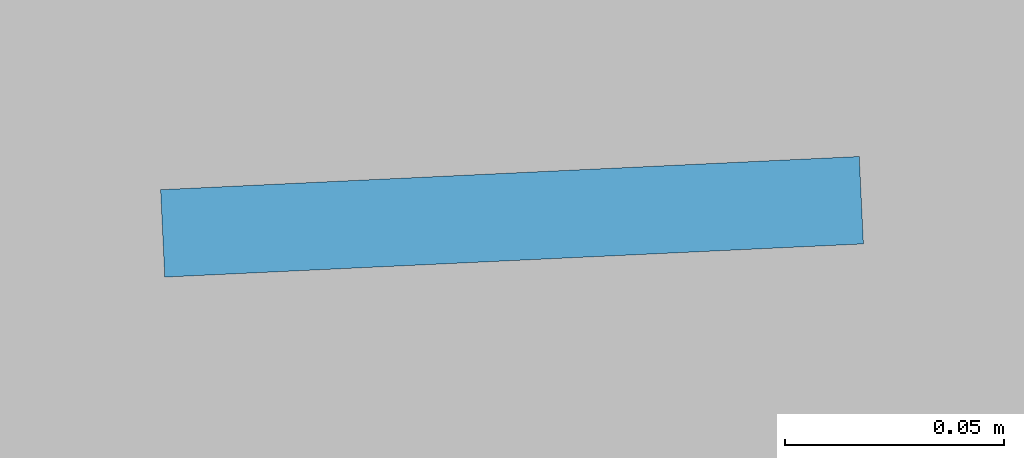
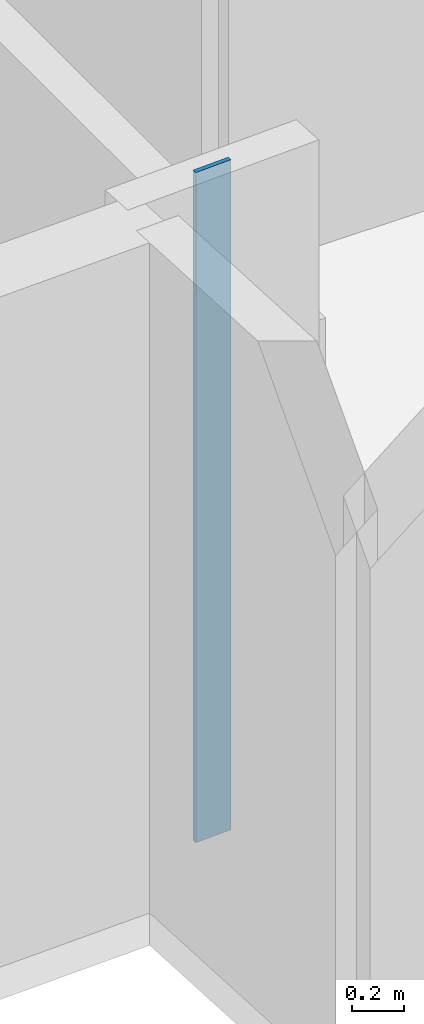
# One storey, part 3 of 15: 1 plate.
"""IFC4 building model written with IfcOpenShell, lengths in metres."""

import ifcopenshell
import ifcopenshell.guid

model = None  # the IFC model being written
_history = None  # IfcOwnerHistory: only IFC2X3 demands one
_inside = {}  # id of a spatial element -> (the spatial element, [elements in it])
_under = {}  # id of a project, library or spatial element -> (it, [spatial elements below it])
_declared = {}  # id of a project -> (the project, [libraries it declares])
_typed = {}  # id of a type object -> (the type object, [elements of that type])
_made_of = {}  # id of a material, layer set ... -> (it, [elements and type objects made of it])


def new_model(schema):
    """Start an empty IFC model of exactly this schema.

    Asked for "IFC4X3", IfcOpenShell would pick the latest addendum, in which some entities
    have other attributes; the version numbers below select the first issue.
    IFC2X3 requires an IfcOwnerHistory on every rooted entity: one is made here for all.
    """
    global model, _history
    if schema == "IFC4X3":
        model = ifcopenshell.file(schema_version=(4, 3, 0, 0))
    else:
        model = ifcopenshell.file(schema=schema)
    _inside.clear()
    _under.clear()
    _declared.clear()
    _typed.clear()
    _made_of.clear()
    _history = None
    if model.schema == "IFC2X3":
        org = make("IfcOrganization", Name="unknown")
        user = make(
            "IfcPersonAndOrganization",
            ThePerson=make("IfcPerson", FamilyName="unknown"),
            TheOrganization=org,
        )
        app = make(
            "IfcApplication",
            ApplicationDeveloper=org,
            Version="unknown",
            ApplicationFullName="unknown",
            ApplicationIdentifier="unknown",
        )
        _history = make(
            "IfcOwnerHistory",
            OwningUser=user,
            OwningApplication=app,
            ChangeAction="ADDED",
            CreationDate=0,
        )
    return model


def make(cls, **values):
    """One entity of the class cls with the attributes given. An attribute that is None is left unset."""
    return model.create_entity(
        cls, **{name: value for name, value in values.items() if value is not None}
    )


def rooted(cls, **values):
    """An entity with a GlobalId (a new one), such as an element, a storey or a relation."""
    return make(cls, GlobalId=ifcopenshell.guid.new(), OwnerHistory=_history, **values)


def si_unit(unit_type, name, prefix=None):
    """IfcSIUnit, for example si_unit("LENGTHUNIT", "METRE", prefix="MILLI")."""
    return make("IfcSIUnit", UnitType=unit_type, Prefix=prefix, Name=name)


def assignment(units):
    """IfcUnitAssignment: the units of a project."""
    return None if units is None else make("IfcUnitAssignment", Units=units)


def point(xyz):
    """IfcCartesianPoint."""
    return None if xyz is None else make("IfcCartesianPoint", Coordinates=xyz)


def direction(xyz):
    """IfcDirection."""
    return None if xyz is None else make("IfcDirection", DirectionRatios=xyz)


def frame(location, z_axis=None, x_axis=None):
    """IfcAxis2Placement3D, a coordinate frame: its origin and axes. An axis left out is left unset."""
    return make(
        "IfcAxis2Placement3D",
        Location=point(location),
        Axis=direction(z_axis),
        RefDirection=direction(x_axis),
    )


def frame_2d(location, x_axis=None):
    """IfcAxis2Placement2D, a coordinate frame in the plane: its origin and x axis."""
    return make(
        "IfcAxis2Placement2D", Location=point(location), RefDirection=direction(x_axis)
    )


def origin():
    """The frame at (0, 0, 0) with its axes left unset."""
    return frame((0.0, 0.0, 0.0))


def origin_2d():
    """The frame at (0, 0) in the plane with its x axis left unset."""
    return frame_2d((0.0, 0.0))


def place(relative_to, where):
    """IfcLocalPlacement: puts the frame where relative to a parent placement (None: the world)."""
    return make(
        "IfcLocalPlacement", PlacementRelTo=relative_to, RelativePlacement=where
    )


def context(
    kind, dimensions, precision=None, world=None, true_north=None, identifier=None
):
    """IfcGeometricRepresentationContext, for example the 3D "Model" context."""
    return make(
        "IfcGeometricRepresentationContext",
        ContextIdentifier=identifier,
        ContextType=kind,
        CoordinateSpaceDimension=dimensions,
        Precision=precision,
        WorldCoordinateSystem=world,
        TrueNorth=true_north,
    )


def subcontext(parent, identifier, kind, view, scale=None):
    """IfcGeometricRepresentationSubContext, for example "Body" below "Model"."""
    return make(
        "IfcGeometricRepresentationSubContext",
        ContextIdentifier=identifier,
        ContextType=kind,
        ParentContext=parent,
        TargetScale=scale,
        TargetView=view,
    )


def project(units=None, contexts=None):
    """IfcProject with its units and contexts."""
    return rooted(
        "IfcProject",
        Name="project",
        RepresentationContexts=contexts,
        UnitsInContext=assignment(units),
    )


def spatial(cls, under=None, at=None, **own):
    """A site, building, storey or space (cls), placed at a placement, below another one or the project."""
    s = rooted(cls, ObjectPlacement=at, **own)
    if under is not None:
        _under.setdefault(under.id(), (under, []))[1].append(s)
    return s


def profile(cls, at=None, kind="AREA", **sizes):
    """A parametric profile (cls). Its sizes go by their IFC names, for example OverallWidth=200.0."""
    return make(cls, ProfileType=kind, Position=at, **sizes)


def rectangle(**sizes):
    """IfcRectangleProfileDef."""
    return profile("IfcRectangleProfileDef", **sizes)


def extrude(swept, where, along, depth):
    """IfcExtrudedAreaSolid: the profile swept, set in the frame where, extruded along a direction by depth."""
    return make(
        "IfcExtrudedAreaSolid",
        SweptArea=swept,
        Position=where,
        ExtrudedDirection=direction(along),
        Depth=depth,
    )


def shape(context_of_items, identifier, shape_type, items):
    """IfcShapeRepresentation: the items that make up one representation, for example the "Body"."""
    return make(
        "IfcShapeRepresentation",
        ContextOfItems=context_of_items,
        RepresentationIdentifier=identifier,
        RepresentationType=shape_type,
        Items=items,
    )


def material(Name=None, Category=None):
    """IfcMaterial."""
    return make("IfcMaterial", Name=Name, Category=Category)


def layer(
    of_material, thickness, ventilated=None, Name=None, Category=None, Priority=None
):
    """IfcMaterialLayer: one layer of a wall or slab, of a material (None: an air gap)."""
    return make(
        "IfcMaterialLayer",
        Material=of_material,
        LayerThickness=thickness,
        IsVentilated=ventilated,
        Name=Name,
        Category=Category,
        Priority=Priority,
    )


def layer_set(layers, Name=None):
    """IfcMaterialLayerSet."""
    return make("IfcMaterialLayerSet", MaterialLayers=layers, LayerSetName=Name)


def made_of(thing, what):
    """Note that an element or type object is made of a material, layer set ...; save() writes the relation."""
    if what is not None:
        _made_of.setdefault(what.id(), (what, []))[1].append(thing)
    return thing


def type_object(cls, material=None, **own):
    """A type object (cls), such as IfcWallType, which elements share."""
    return made_of(rooted(cls, **own), material)


def element(
    cls,
    number,
    at=None,
    inside=None,
    cuts=None,
    type_object=None,
    material=None,
    context=None,
    identifier="Body",
    shape_type=None,
    held_by="IfcProductDefinitionShape",
    body=None,
    shapes=None,
    **own,
):
    """One element of the class cls, such as IfcWall. Its Tag is "e" and its number.

    at: its placement. inside: the storey or other place that contains it. cuts: it is an
    opening in that element (IfcRelVoidsElement). A single representation is given by context,
    identifier, shape_type and body (its items); several are given by shapes. held_by: the class
    of the entity that holds the representations. save() writes the other relations.
    """
    e = rooted(cls, Tag="e%d" % number, ObjectPlacement=at, **own)
    if body is not None:
        shapes = [shape(context, identifier, shape_type, body)]
    if shapes is not None:
        e.Representation = make(held_by, Representations=shapes)
    if inside is not None:
        _inside.setdefault(inside.id(), (inside, []))[1].append(e)
    if cuts is not None:
        rooted(
            "IfcRelVoidsElement", RelatingBuildingElement=cuts, RelatedOpeningElement=e
        )
    if type_object is not None:
        _typed.setdefault(type_object.id(), (type_object, []))[1].append(e)
    return made_of(e, material)


def aggregate(whole, parts):
    """IfcRelAggregates: a whole, such as a stair, and the parts it consists of."""
    return rooted("IfcRelAggregates", RelatingObject=whole, RelatedObjects=parts)


def save(model, path):
    """Write the relations noted so far, then the file.

    IfcRelAggregates (storeys below a building ...), IfcRelContainedInSpatialStructure (elements
    in a storey), IfcRelDefinesByType, IfcRelAssociatesMaterial and IfcRelDeclares: one each for
    every whole, place, type object, material and project.
    """
    for whole, parts in _under.values():
        aggregate(whole, parts)
    for where, things in _inside.values():
        rooted(
            "IfcRelContainedInSpatialStructure",
            RelatedElements=things,
            RelatingStructure=where,
        )
    for kind, things in _typed.values():
        rooted("IfcRelDefinesByType", RelatedObjects=things, RelatingType=kind)
    for what, things in _made_of.values():
        rooted("IfcRelAssociatesMaterial", RelatedObjects=things, RelatingMaterial=what)
    for by, libraries in _declared.values():
        rooted("IfcRelDeclares", RelatingContext=by, RelatedDefinitions=libraries)
    model.write(path)


model = new_model("IFC4")

# Units and contexts
model_context = context("Model", 3, precision=1e-05, world=origin(), true_north=direction((0.0, 1.0)))
body_context = subcontext(model_context, "Body", "Model", "MODEL_VIEW")
ifc_project = project(units=[si_unit("LENGTHUNIT", "METRE"), si_unit("AREAUNIT", "SQUARE_METRE"), si_unit("VOLUMEUNIT", "CUBIC_METRE"), si_unit("PLANEANGLEUNIT", "RADIAN"), si_unit("MASSUNIT", "GRAM", prefix="KILO")], contexts=[model_context])

# Site, building, storey
site_placement = place(None, origin())
site = spatial("IfcSite", under=ifc_project, at=site_placement, CompositionType="ELEMENT")
building_placement = place(site_placement, origin())
building = spatial("IfcBuilding", under=site, at=building_placement, Name="Miruveldt Soraemaru", CompositionType="ELEMENT")
storey_placement = place(building_placement, frame((0.0, 0.0, 32.60009765625)))
storey = spatial("IfcBuildingStorey", under=building, at=storey_placement, Name="L08", CompositionType="ELEMENT", Elevation=32.60009765625)

# Plate
ifc_material = material(Name="Anodised aluminium EN AW-6063 T6", Category="aluminium")
ifc_layer = layer(ifc_material, 0.02001953125, Name="Anodised aluminium EN AW-6063 T6", Category="aluminium")
ifc_layer_set = layer_set([ifc_layer], Name="Anodised aluminium EN AW-6063 T6")
plate_type = type_object("IfcPlateType", Name="PLT-PART-TRIM", PredefinedType="SHEET", material=ifc_layer_set)
plate_placement = place(storey_placement, frame((45.56396484375, 22.37939453125, 0.0), z_axis=(0.0, 0.0, 1.0), x_axis=(-0.998873370853, -0.047455126176, 0.0)))
element("IfcPlate", 1, at=plate_placement, inside=storey, type_object=plate_type, Name="L08 Partition Step Corner Trim Plate 002", PredefinedType="SHEET", context=body_context, shape_type="SweptSolid", body=[
    extrude(rectangle(XDim=0.159912109375, YDim=0.02001953125, at=origin_2d()), origin(), (0.0, 0.0, 1.0), 3.125),
])

save(model, "model.ifc")
